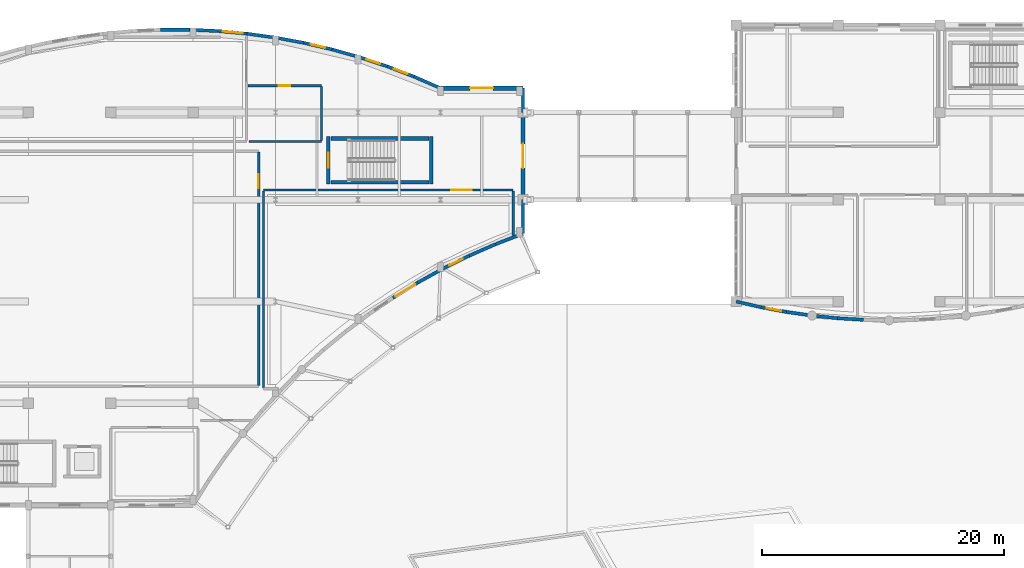
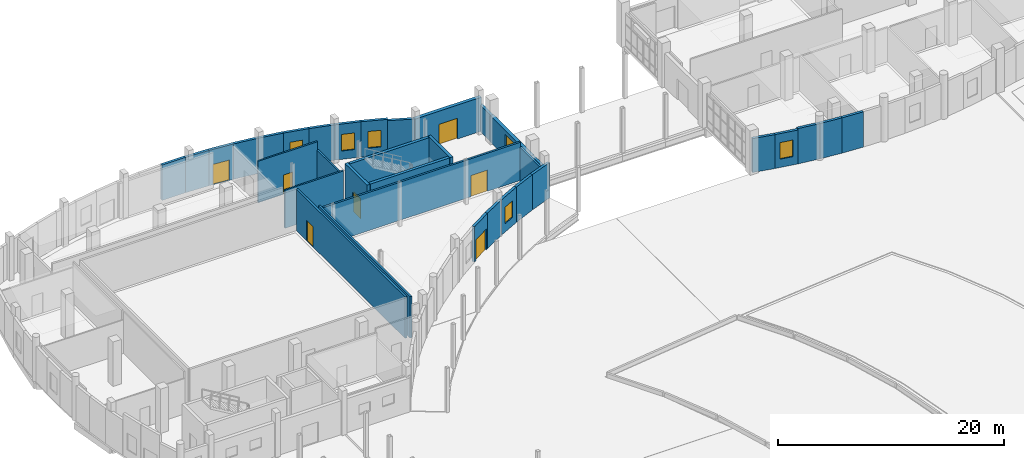
# One storey, part 67 of 97: 35 walls, 8 doors, 5 windows, 13 openings.
"""IFC4 building model written with IfcOpenShell, lengths in metres."""

from ifc_helpers import new_model, si_unit, direction, frame, frame_2d, origin, place, context, subcontext, project, spatial, rectangle, extrude, material, layer, layer_set, type_object, element, fill, save


model = new_model("IFC4")

# Units and contexts
model_context = context("Model", 3, precision=1e-05, world=origin(), true_north=direction((0.0, 1.0)))
body_context = subcontext(model_context, "Body", "Model", "MODEL_VIEW")
ifc_project = project(units=[si_unit("LENGTHUNIT", "METRE"), si_unit("AREAUNIT", "SQUARE_METRE"), si_unit("VOLUMEUNIT", "CUBIC_METRE"), si_unit("PLANEANGLEUNIT", "RADIAN"), si_unit("MASSUNIT", "GRAM", prefix="KILO")], contexts=[model_context])

# Site, building, storey
site_placement = place(None, origin())
site = spatial("IfcSite", under=ifc_project, at=site_placement, CompositionType="ELEMENT")
building_placement = place(site_placement, origin())
building = spatial("IfcBuilding", under=site, at=building_placement, Name="Kisaragi Civic Commons", CompositionType="ELEMENT")
storey_placement = place(building_placement, origin())
storey = spatial("IfcBuildingStorey", under=building, at=storey_placement, Name="L00", CompositionType="ELEMENT", Elevation=0.0)

# Wall, opening, door
ifc_material_1 = material(Name="Insulated Tokoname terracotta cavity wall", Category="masonry")
ifc_layer_1 = layer(ifc_material_1, 0.35009765625, Name="Insulated Tokoname terracotta cavity wall", Category="masonry")
ifc_layer_set_1 = layer_set([ifc_layer_1], Name="Insulated Tokoname terracotta cavity wall")
wall_type_1 = type_object("IfcWallType", Name="EW-02", PredefinedType="STANDARD", material=ifc_layer_set_1)
wall_1_placement = place(storey_placement, frame((47.60009765625, 113.60009765625, 0.0), z_axis=(0.0, 0.0, 1.0), x_axis=(1.0, 0.0, 0.0)))
wall_1 = element("IfcWall", 1, at=wall_1_placement, inside=storey, type_object=wall_type_1, Name="V2 L00 exterior terracotta wall EW-02 160", PredefinedType="STANDARD", context=body_context, shape_type="SweptSolid", body=[
    extrude(rectangle(XDim=6.7998046875, YDim=0.35009765625, at=frame_2d((3.39990234375, 0.0))), origin(), (0.0, 0.0, 1.0), 3.669921875),
])
opening_1_placement = place(wall_1_placement, frame((2.449951171875, 0.0, 0.0)))
opening_1 = element("IfcOpeningElement", 2, at=opening_1_placement, cuts=wall_1, Name="Opening ED-F", PredefinedType="OPENING", context=body_context, shape_type="SweptSolid", body=[
    extrude(rectangle(XDim=1.89990234375, YDim=2.25, at=frame_2d((0.949951171875, 1.125))), frame((0.0, 0.18505859375, 0.0), z_axis=(0.0, -1.0, 0.0), x_axis=(1.0, 0.0, 0.0)), (0.0, 0.0, 1.0), 0.3701171875),
])
ifc_material_2 = material(Name="Thermally broken anodized aluminium glazed exit door", Category="aluminium")
door_type_1 = type_object("IfcDoorType", Name="ED-F", OperationType="NOTDEFINED", PredefinedType="DOOR", material=ifc_material_2)
door_1_placement = place(opening_1_placement, origin())
door_1 = element("IfcDoor", 3, at=door_1_placement, inside=storey, type_object=door_type_1, Name="Ground exterior exit and veranda door ED-F 09", OperationType="DOUBLE_DOOR_SINGLE_SWING", OverallHeight=2.25, OverallWidth=1.89990234375, PredefinedType="DOOR", context=body_context, shape_type="SweptSolid", body=[
    extrude(rectangle(XDim=1.89990234375, YDim=2.25, at=frame_2d((0.949951171875, 1.125))), frame((0.0, 0.02490234375, 0.0), z_axis=(0.0, -1.0, 0.0), x_axis=(1.0, 0.0, 0.0)), (0.0, 0.0, 1.0), 0.050048828125),
])
fill(opening_1, door_1)

wall_2_placement = place(storey_placement, frame((54.39990234375, 111.60009765625, 0.0), z_axis=(0.0, 0.0, 1.0), x_axis=(0.0, -1.0, 0.0)))
wall_2 = element("IfcWall", 4, at=wall_2_placement, inside=storey, type_object=wall_type_1, Name="V2 L00 exterior terracotta wall EW-02 162", PredefinedType="STANDARD", context=body_context, shape_type="SweptSolid", body=[
    extrude(rectangle(XDim=7.2001953125, YDim=0.35009765625, at=frame_2d((3.60009765625, 0.0))), origin(), (0.0, 0.0, 1.0), 2.85498046875),
])
opening_2_placement = place(wall_2_placement, frame((2.60009765625, 0.0, 0.0)))
opening_2 = element("IfcOpeningElement", 5, at=opening_2_placement, cuts=wall_2, Name="Opening ED-A", PredefinedType="OPENING", context=body_context, shape_type="SweptSolid", body=[
    extrude(rectangle(XDim=2.0, YDim=2.39990234375, at=frame_2d((1.0, 1.199951171875))), frame((0.0, 0.18505859375, 0.0), z_axis=(0.0, -1.0, 0.0), x_axis=(1.0, 0.0, 0.0)), (0.0, 0.0, 1.0), 0.3701171875),
])
door_type_2 = type_object("IfcDoorType", Name="ED-A", OperationType="NOTDEFINED", PredefinedType="DOOR", material=ifc_material_2)
door_2_placement = place(opening_2_placement, origin())
door_2 = element("IfcDoor", 6, at=door_2_placement, inside=storey, type_object=door_type_2, Name="Ground exterior exit and veranda door ED-A 10", OperationType="DOUBLE_DOOR_SINGLE_SWING", OverallHeight=2.39990234375, OverallWidth=2.0, PredefinedType="DOOR", context=body_context, shape_type="SweptSolid", body=[
    extrude(rectangle(XDim=2.0, YDim=2.39990234375, at=frame_2d((1.0, 1.199951171875))), frame((0.0, 0.02490234375, 0.0), z_axis=(0.0, -1.0, 0.0), x_axis=(1.0, 0.0, 0.0)), (0.0, 0.0, 1.0), 0.050048828125),
])
fill(opening_2, door_2)

# Walls
ifc_layer_2 = layer(ifc_material_1, 0.26806640625, Name="Insulated Tokoname terracotta cavity wall", Category="masonry")
ifc_layer_set_2 = layer_set([ifc_layer_2], Name="Insulated Tokoname terracotta cavity wall")
wall_type_2 = type_object("IfcWallType", Name="EW-04", PredefinedType="STANDARD", material=ifc_layer_set_2)
wall_3_placement = place(storey_placement, frame((24.510498046875, 118.423095703125, 0.0), z_axis=(0.0, 0.0, 1.0), x_axis=(1.0, 0.0, 0.0)))
element("IfcWall", 7, at=wall_3_placement, inside=storey, type_object=wall_type_2, Name="V2 L00 exterior terracotta wall EW-04 150", PredefinedType="STANDARD", context=body_context, shape_type="SweptSolid", body=[
    extrude(rectangle(XDim=2.379150390625, YDim=0.26806640625, at=frame_2d((1.189453125, 0.0))), origin(), (0.0, 0.0, 1.0), 3.820068359375),
])
wall_4_placement = place(storey_placement, frame((26.8896484375, 118.423095703125, 0.0), z_axis=(0.0, 0.0, 1.0), x_axis=(0.998952399437, -0.045761377378, 0.0)))
element("IfcWall", 8, at=wall_4_placement, inside=storey, type_object=wall_type_2, Name="V2 L00 exterior terracotta wall EW-04 151", PredefinedType="STANDARD", context=body_context, shape_type="SweptSolid", body=[
    extrude(rectangle(XDim=2.37939453125, YDim=0.26806640625, at=frame_2d((1.189697265625, 0.0))), origin(), (0.0, 0.0, 1.0), 3.820068359375),
])

# Wall, opening, door
wall_5_placement = place(storey_placement, frame((29.2666015625, 118.314208984375, 0.0), z_axis=(0.0, 0.0, 1.0), x_axis=(0.995811211836, -0.091433201746, 0.0)))
wall_5 = element("IfcWall", 9, at=wall_5_placement, inside=storey, type_object=wall_type_2, Name="V2 L00 exterior terracotta wall EW-04 152", PredefinedType="STANDARD", context=body_context, shape_type="SweptSolid", body=[
    extrude(rectangle(XDim=2.379150390625, YDim=0.26806640625, at=frame_2d((1.189453125, 0.0))), origin(), (0.0, 0.0, 1.0), 3.820068359375),
])
opening_3_placement = place(wall_5_placement, frame((0.364501953125, 0.0, 0.0)))
opening_3 = element("IfcOpeningElement", 10, at=opening_3_placement, cuts=wall_5, Name="Opening ED-D", PredefinedType="OPENING", context=body_context, shape_type="SweptSolid", body=[
    extrude(rectangle(XDim=1.64990234375, YDim=2.199951171875, at=frame_2d((0.824951171875, 1.10009765625))), frame((0.0, 0.14404296875, 0.0), z_axis=(0.0, -1.0, 0.0), x_axis=(1.0, 0.0, 0.0)), (0.0, 0.0, 1.0), 0.2880859375),
])
door_type_3 = type_object("IfcDoorType", Name="ED-D", OperationType="NOTDEFINED", PredefinedType="DOOR", material=ifc_material_2)
door_3_placement = place(opening_3_placement, origin())
door_3 = element("IfcDoor", 11, at=door_3_placement, inside=storey, type_object=door_type_3, Name="Ground exterior exit and veranda door ED-D 08", OperationType="DOUBLE_DOOR_SINGLE_SWING", OverallHeight=2.199951171875, OverallWidth=1.64990234375, PredefinedType="DOOR", context=body_context, shape_type="SweptSolid", body=[
    extrude(rectangle(XDim=1.64990234375, YDim=2.199951171875, at=frame_2d((0.824951171875, 1.10009765625))), frame((0.0, 0.02490234375, 0.0), z_axis=(0.0, -1.0, 0.0), x_axis=(1.0, 0.0, 0.0)), (0.0, 0.0, 1.0), 0.050048828125),
])
fill(opening_3, door_3)

# Walls
for number, where, z_axis, x_axis, name in (
    (12, (31.6357421875, 118.0966796875, 0.0), (0.0, 0.0, 1.0), (0.990587574889, -0.136880445919, 0.0), "V2 L00 exterior terracotta wall EW-04 153"),
    (13, (33.99267578125, 117.77099609375, 0.0), (0.0, 0.0, 1.0), (0.983293570228, -0.182026796784, 0.0), "V2 L00 exterior terracotta wall EW-04 154"),
):
    element("IfcWall", number, at=place(storey_placement, frame(where, z_axis=z_axis, x_axis=x_axis)), inside=storey, type_object=wall_type_2, Name=name, PredefinedType="STANDARD", context=body_context, shape_type="SweptSolid", body=[
        extrude(rectangle(XDim=2.37939453125, YDim=0.26806640625, at=frame_2d((1.189697265625, 0.0))), origin(), (0.0, 0.0, 1.0), 3.820068359375),
    ])

# Wall, opening, window
wall_6_placement = place(storey_placement, frame((36.332275390625, 117.337890625, 0.0), z_axis=(0.0, 0.0, 1.0), x_axis=(0.97394480738, -0.226785167454, 0.0)))
wall_6 = element("IfcWall", 14, at=wall_6_placement, inside=storey, type_object=wall_type_2, Name="V2 L00 exterior terracotta wall EW-04 155", PredefinedType="STANDARD", context=body_context, shape_type="SweptSolid", body=[
    extrude(rectangle(XDim=2.379150390625, YDim=0.26806640625, at=frame_2d((1.189453125, 0.0))), origin(), (0.0, 0.0, 1.0), 3.820068359375),
])
opening_4_placement = place(wall_6_placement, frame((0.589599609375, 0.0, 0.89990234375)))
opening_4 = element("IfcOpeningElement", 15, at=opening_4_placement, cuts=wall_6, Name="Opening W-05", PredefinedType="OPENING", context=body_context, shape_type="SweptSolid", body=[
    extrude(rectangle(XDim=1.199951171875, YDim=1.800048828125, at=frame_2d((0.60009765625, 0.89990234375))), frame((0.0, 0.14404296875, 0.0), z_axis=(0.0, -1.0, 0.0), x_axis=(1.0, 0.0, 0.0)), (0.0, 0.0, 1.0), 0.2880859375),
])
ifc_material_3 = material(Name="Thermally broken aluminium frame and low-E argon double glazing", Category="aluminium")
window_type = type_object("IfcWindowType", Name="W-05", PartitioningType="SINGLE_PANEL", PredefinedType="WINDOW", material=ifc_material_3)
window_1_placement = place(opening_4_placement, origin())
window_1 = element("IfcWindow", 16, at=window_1_placement, inside=storey, type_object=window_type, Name="V2 L00 window W-05 46", OverallHeight=1.800048828125, OverallWidth=1.199951171875, PartitioningType="SINGLE_PANEL", PredefinedType="WINDOW", context=body_context, shape_type="SweptSolid", body=[
    extrude(rectangle(XDim=1.199951171875, YDim=1.800048828125, at=frame_2d((0.60009765625, 0.89990234375))), frame((0.0, 0.030029296875, 0.0), z_axis=(0.0, -1.0, 0.0), x_axis=(1.0, 0.0, 0.0)), (0.0, 0.0, 1.0), 0.06005859375),
])
fill(opening_4, window_1)

# Wall
wall_7_placement = place(storey_placement, frame((38.6494140625, 116.79833984375, 0.0), z_axis=(0.0, 0.0, 1.0), x_axis=(0.962554772645, -0.27108727314, 0.0)))
element("IfcWall", 17, at=wall_7_placement, inside=storey, type_object=wall_type_2, Name="V2 L00 exterior terracotta wall EW-04 156", PredefinedType="STANDARD", context=body_context, shape_type="SweptSolid", body=[
    extrude(rectangle(XDim=2.37939453125, YDim=0.26806640625, at=frame_2d((1.189697265625, 0.0))), origin(), (0.0, 0.0, 1.0), 3.820068359375),
])

# Wall, opening, window
wall_8_placement = place(storey_placement, frame((40.939697265625, 116.1533203125, 0.0), z_axis=(0.0, 0.0, 1.0), x_axis=(0.949123588858, -0.31490381559, 0.0)))
wall_8 = element("IfcWall", 18, at=wall_8_placement, inside=storey, type_object=wall_type_2, Name="V2 L00 exterior terracotta wall EW-04 157", PredefinedType="STANDARD", context=body_context, shape_type="SweptSolid", body=[
    extrude(rectangle(XDim=2.37939453125, YDim=0.26806640625, at=frame_2d((1.189697265625, 0.0))), origin(), (0.0, 0.0, 1.0), 3.820068359375),
])
opening_5_placement = place(wall_8_placement, frame((0.589599609375, 0.0, 0.89990234375)))
opening_5 = element("IfcOpeningElement", 19, at=opening_5_placement, cuts=wall_8, Name="Opening W-05", PredefinedType="OPENING", context=body_context, shape_type="SweptSolid", body=[
    extrude(rectangle(XDim=1.199951171875, YDim=1.800048828125, at=frame_2d((0.60009765625, 0.89990234375))), frame((0.0, 0.14404296875, 0.0), z_axis=(0.0, -1.0, 0.0), x_axis=(1.0, 0.0, 0.0)), (0.0, 0.0, 1.0), 0.2880859375),
])
window_2_placement = place(opening_5_placement, origin())
window_2 = element("IfcWindow", 20, at=window_2_placement, inside=storey, type_object=window_type, Name="V2 L00 window W-05 47", OverallHeight=1.800048828125, OverallWidth=1.199951171875, PartitioningType="SINGLE_PANEL", PredefinedType="WINDOW", context=body_context, shape_type="SweptSolid", body=[
    extrude(rectangle(XDim=1.199951171875, YDim=1.800048828125, at=frame_2d((0.60009765625, 0.89990234375))), frame((0.0, 0.030029296875, 0.0), z_axis=(0.0, -1.0, 0.0), x_axis=(1.0, 0.0, 0.0)), (0.0, 0.0, 1.0), 0.06005859375),
])
fill(opening_5, window_2)

wall_9_placement = place(storey_placement, frame((43.197998046875, 115.404052734375, 0.0), z_axis=(0.0, 0.0, 1.0), x_axis=(0.933757548391, -0.357906189977, 0.0)))
wall_9 = element("IfcWall", 21, at=wall_9_placement, inside=storey, type_object=wall_type_2, Name="V2 L00 exterior terracotta wall EW-04 158", PredefinedType="STANDARD", context=body_context, shape_type="SweptSolid", body=[
    extrude(rectangle(XDim=2.37939453125, YDim=0.26806640625, at=frame_2d((1.189697265625, 0.0))), origin(), (0.0, 0.0, 1.0), 3.820068359375),
])
opening_6_placement = place(wall_9_placement, frame((0.589599609375, 0.0, 0.89990234375)))
opening_6 = element("IfcOpeningElement", 22, at=opening_6_placement, cuts=wall_9, Name="Opening W-05", PredefinedType="OPENING", context=body_context, shape_type="SweptSolid", body=[
    extrude(rectangle(XDim=1.199951171875, YDim=1.800048828125, at=frame_2d((0.60009765625, 0.89990234375))), frame((0.0, 0.14404296875, 0.0), z_axis=(0.0, -1.0, 0.0), x_axis=(1.0, 0.0, 0.0)), (0.0, 0.0, 1.0), 0.2880859375),
])
window_3_placement = place(opening_6_placement, origin())
window_3 = element("IfcWindow", 23, at=window_3_placement, inside=storey, type_object=window_type, Name="V2 L00 window W-05 48", OverallHeight=1.800048828125, OverallWidth=1.199951171875, PartitioningType="SINGLE_PANEL", PredefinedType="WINDOW", context=body_context, shape_type="SweptSolid", body=[
    extrude(rectangle(XDim=1.199951171875, YDim=1.800048828125, at=frame_2d((0.60009765625, 0.89990234375))), frame((0.0, 0.030029296875, 0.0), z_axis=(0.0, -1.0, 0.0), x_axis=(1.0, 0.0, 0.0)), (0.0, 0.0, 1.0), 0.06005859375),
])
fill(opening_6, window_3)

# Walls
wall_10_placement = place(storey_placement, frame((45.419677734375, 114.552490234375, 0.0), z_axis=(0.0, 0.0, 1.0), x_axis=(0.916395023077, -0.400275107494, 0.0)))
element("IfcWall", 24, at=wall_10_placement, inside=storey, type_object=wall_type_2, Name="V2 L00 exterior terracotta wall EW-04 159", PredefinedType="STANDARD", context=body_context, shape_type="SweptSolid", body=[
    extrude(rectangle(XDim=2.37939453125, YDim=0.26806640625, at=frame_2d((1.189697265625, 0.0))), origin(), (0.0, 0.0, 1.0), 3.669921875),
])
wall_11_placement = place(storey_placement, frame((54.39990234375, 113.60009765625, 0.0), z_axis=(0.0, 0.0, 1.0), x_axis=(0.0, -1.0, 0.0)))
element("IfcWall", 25, at=wall_11_placement, inside=storey, type_object=wall_type_2, Name="V2 L00 exterior terracotta wall EW-04 161", PredefinedType="STANDARD", context=body_context, shape_type="SweptSolid", body=[
    extrude(rectangle(XDim=2.0, YDim=0.26806640625, at=frame_2d((1.0, 0.0))), origin(), (0.0, 0.0, 1.0), 2.85498046875),
])
wall_12_placement = place(storey_placement, frame((54.39990234375, 104.39990234375, 0.0), z_axis=(0.0, 0.0, 1.0), x_axis=(0.0, -1.0, 0.0)))
element("IfcWall", 26, at=wall_12_placement, inside=storey, type_object=wall_type_2, Name="V2 L00 exterior terracotta wall EW-04 163", PredefinedType="STANDARD", context=body_context, shape_type="SweptSolid", body=[
    extrude(rectangle(XDim=2.7998046875, YDim=0.26806640625, at=frame_2d((1.39990234375, 0.0))), origin(), (0.0, 0.0, 1.0), 2.85498046875),
])
for number, where, z_axis, x_axis, name in (
    (27, (54.39990234375, 101.60009765625, 0.0), (0.0, 0.0, 1.0), (-0.933639383076, -0.358214324629, 0.0), "V2 L00 exterior terracotta wall EW-04 164"),
    (28, (52.16259765625, 100.74169921875, 0.0), (0.0, 0.0, 1.0), (-0.916157334902, -0.40081883402, 0.0), "V2 L00 exterior terracotta wall EW-04 165"),
):
    element("IfcWall", number, at=place(storey_placement, frame(where, z_axis=z_axis, x_axis=x_axis)), inside=storey, type_object=wall_type_2, Name=name, PredefinedType="STANDARD", context=body_context, shape_type="SweptSolid", body=[
        extrude(rectangle(XDim=2.396240234375, YDim=0.26806640625, at=frame_2d((1.1982421875, 0.0))), origin(), (0.0, 0.0, 1.0), 3.820068359375),
    ])

# Wall, opening, window
wall_13_placement = place(storey_placement, frame((49.96728515625, 99.78125, 0.0), z_axis=(0.0, 0.0, 1.0), x_axis=(-0.896737964663, -0.442561885764, 0.0)))
wall_13 = element("IfcWall", 29, at=wall_13_placement, inside=storey, type_object=wall_type_2, Name="V2 L00 exterior terracotta wall EW-04 166", PredefinedType="STANDARD", context=body_context, shape_type="SweptSolid", body=[
    extrude(rectangle(XDim=2.396484375, YDim=0.26806640625, at=frame_2d((1.1982421875, 0.0))), origin(), (0.0, 0.0, 1.0), 3.820068359375),
])
opening_7_placement = place(wall_13_placement, frame((0.59814453125, 0.0, 0.89990234375)))
opening_7 = element("IfcOpeningElement", 30, at=opening_7_placement, cuts=wall_13, Name="Opening W-05", PredefinedType="OPENING", context=body_context, shape_type="SweptSolid", body=[
    extrude(rectangle(XDim=1.199951171875, YDim=1.800048828125, at=frame_2d((0.60009765625, 0.89990234375))), frame((0.0, 0.14404296875, 0.0), z_axis=(0.0, -1.0, 0.0), x_axis=(1.0, 0.0, 0.0)), (0.0, 0.0, 1.0), 0.2880859375),
])
window_4_placement = place(opening_7_placement, origin())
window_4 = element("IfcWindow", 31, at=window_4_placement, inside=storey, type_object=window_type, Name="V2 L00 window W-05 49", OverallHeight=1.800048828125, OverallWidth=1.199951171875, PartitioningType="SINGLE_PANEL", PredefinedType="WINDOW", context=body_context, shape_type="SweptSolid", body=[
    extrude(rectangle(XDim=1.199951171875, YDim=1.800048828125, at=frame_2d((0.60009765625, 0.89990234375))), frame((0.0, 0.030029296875, 0.0), z_axis=(0.0, -1.0, 0.0), x_axis=(1.0, 0.0, 0.0)), (0.0, 0.0, 1.0), 0.06005859375),
])
fill(opening_7, window_4)

# Wall
wall_14_placement = place(storey_placement, frame((47.818359375, 98.720703125, 0.0), z_axis=(0.0, 0.0, 1.0), x_axis=(-0.875379974168, -0.483435518788, 0.0)))
element("IfcWall", 32, at=wall_14_placement, inside=storey, type_object=wall_type_2, Name="V2 L00 exterior terracotta wall EW-04 167", PredefinedType="STANDARD", context=body_context, shape_type="SweptSolid", body=[
    extrude(rectangle(XDim=2.396240234375, YDim=0.26806640625, at=frame_2d((1.1982421875, 0.0))), origin(), (0.0, 0.0, 1.0), 3.820068359375),
])

# Wall, opening, door
wall_15_placement = place(storey_placement, frame((45.720703125, 97.562255859375, 0.0), z_axis=(0.0, 0.0, 1.0), x_axis=(-0.852161661099, -0.523278609685, 0.0)))
wall_15 = element("IfcWall", 33, at=wall_15_placement, inside=storey, type_object=wall_type_2, Name="V2 L00 exterior terracotta wall EW-04 168", PredefinedType="STANDARD", context=body_context, shape_type="SweptSolid", body=[
    extrude(rectangle(XDim=2.396240234375, YDim=0.26806640625, at=frame_2d((1.1982421875, 0.0))), origin(), (0.0, 0.0, 1.0), 3.820068359375),
])
opening_8_placement = place(wall_15_placement, frame((0.248291015625, 0.0, 0.0)))
opening_8 = element("IfcOpeningElement", 34, at=opening_8_placement, cuts=wall_15, Name="Opening ED-F", PredefinedType="OPENING", context=body_context, shape_type="SweptSolid", body=[
    extrude(rectangle(XDim=1.89990234375, YDim=2.25, at=frame_2d((0.949951171875, 1.125))), frame((0.0, 0.14404296875, 0.0), z_axis=(0.0, -1.0, 0.0), x_axis=(1.0, 0.0, 0.0)), (0.0, 0.0, 1.0), 0.2880859375),
])
door_4_placement = place(opening_8_placement, origin())
door_4 = element("IfcDoor", 35, at=door_4_placement, inside=storey, type_object=door_type_1, Name="Ground exterior exit and veranda door ED-F 24", OperationType="DOUBLE_DOOR_SINGLE_SWING", OverallHeight=2.25, OverallWidth=1.89990234375, PredefinedType="DOOR", context=body_context, shape_type="SweptSolid", body=[
    extrude(rectangle(XDim=1.89990234375, YDim=2.25, at=frame_2d((0.949951171875, 1.125))), frame((0.0, 0.02490234375, 0.0), z_axis=(0.0, -1.0, 0.0), x_axis=(1.0, 0.0, 0.0)), (0.0, 0.0, 1.0), 0.050048828125),
])
fill(opening_8, door_4)

# Walls
wall_16_placement = place(storey_placement, frame((82.4794921875, 94.49365234375, 0.0), z_axis=(0.0, 0.0, 1.0), x_axis=(-0.998130173714, 0.061124105898, 0.0)))
element("IfcWall", 36, at=wall_16_placement, inside=storey, type_object=wall_type_2, Name="V4 L00 exterior terracotta wall EW-04 309", PredefinedType="STANDARD", context=body_context, shape_type="SweptSolid", body=[
    extrude(rectangle(XDim=2.120849609375, YDim=0.26806640625, at=frame_2d((1.060546875, 0.0))), origin(), (0.0, 0.0, 1.0), 3.820068359375),
])
for number, where, z_axis, x_axis, name in (
    (37, (80.362548828125, 94.623291015625, 0.0), (0.0, 0.0, 1.0), (-0.994810155403, 0.10174848749, 0.0), "V4 L00 exterior terracotta wall EW-04 310"),
    (38, (78.25244140625, 94.839111328125, 0.0), (0.0, 0.0, 1.0), (-0.989810892254, 0.142388193245, 0.0), "V4 L00 exterior terracotta wall EW-04 311"),
):
    element("IfcWall", number, at=place(storey_placement, frame(where, z_axis=z_axis, x_axis=x_axis)), inside=storey, type_object=wall_type_2, Name=name, PredefinedType="STANDARD", context=body_context, shape_type="SweptSolid", body=[
        extrude(rectangle(XDim=2.12109375, YDim=0.26806640625, at=frame_2d((1.060546875, 0.0))), origin(), (0.0, 0.0, 1.0), 3.820068359375),
    ])

# Wall, opening, window
wall_17_placement = place(storey_placement, frame((76.153076171875, 95.14111328125, 0.0), z_axis=(0.0, 0.0, 1.0), x_axis=(-0.983213231288, 0.18246024723, 0.0)))
wall_17 = element("IfcWall", 39, at=wall_17_placement, inside=storey, type_object=wall_type_2, Name="V4 L00 exterior terracotta wall EW-04 312", PredefinedType="STANDARD", context=body_context, shape_type="SweptSolid", body=[
    extrude(rectangle(XDim=2.120849609375, YDim=0.26806640625, at=frame_2d((1.060546875, 0.0))), origin(), (0.0, 0.0, 1.0), 3.669921875),
])
opening_9_placement = place(wall_17_placement, frame((0.46044921875, 0.0, 0.89990234375)))
opening_9 = element("IfcOpeningElement", 40, at=opening_9_placement, cuts=wall_17, Name="Opening W-05", PredefinedType="OPENING", context=body_context, shape_type="SweptSolid", body=[
    extrude(rectangle(XDim=1.199951171875, YDim=1.800048828125, at=frame_2d((0.60009765625, 0.89990234375))), frame((0.0, 0.14404296875, 0.0), z_axis=(0.0, -1.0, 0.0), x_axis=(1.0, 0.0, 0.0)), (0.0, 0.0, 1.0), 0.2880859375),
])
window_5_placement = place(opening_9_placement, origin())
window_5 = element("IfcWindow", 41, at=window_5_placement, inside=storey, type_object=window_type, Name="V4 L00 window W-05 101", OverallHeight=1.800048828125, OverallWidth=1.199951171875, PartitioningType="SINGLE_PANEL", PredefinedType="WINDOW", context=body_context, shape_type="SweptSolid", body=[
    extrude(rectangle(XDim=1.199951171875, YDim=1.800048828125, at=frame_2d((0.60009765625, 0.89990234375))), frame((0.0, 0.030029296875, 0.0), z_axis=(0.0, -1.0, 0.0), x_axis=(1.0, 0.0, 0.0)), (0.0, 0.0, 1.0), 0.06005859375),
])
fill(opening_9, window_5)

# Wall
wall_18_placement = place(storey_placement, frame((74.06787109375, 95.528076171875, 0.0), z_axis=(0.0, 0.0, 1.0), x_axis=(-0.974933461124, 0.222496621057, 0.0)))
element("IfcWall", 42, at=wall_18_placement, inside=storey, type_object=wall_type_2, Name="V4 L00 exterior terracotta wall EW-04 313", PredefinedType="STANDARD", context=body_context, shape_type="SweptSolid", body=[
    extrude(rectangle(XDim=2.12109375, YDim=0.26806640625, at=frame_2d((1.060546875, 0.0))), origin(), (0.0, 0.0, 1.0), 3.669921875),
])

# Wall, opening, door
ifc_material_4 = material(Name="Fire-rated double gypsum board on steel studs with mineral wool", Category="steel")
ifc_layer_3 = layer(ifc_material_4, 0.199951171875, Name="Fire-rated double gypsum board on steel studs with mineral wool", Category="steel")
ifc_layer_set_3 = layer_set([ifc_layer_3], Name="Fire-rated double gypsum board on steel studs with mineral wool")
wall_type_3 = type_object("IfcWallType", Name="FW-01", PredefinedType="STANDARD", material=ifc_layer_set_3)
wall_19_placement = place(storey_placement, frame((33.0048828125, 105.199951171875, 0.0), z_axis=(0.0, 0.0, 1.0), x_axis=(1.0, 0.0, 0.0)))
wall_19 = element("IfcWall", 43, at=wall_19_placement, inside=storey, type_object=wall_type_3, Name="L00 S0-09 partition FW-01 55", PredefinedType="STANDARD", context=body_context, shape_type="SweptSolid", body=[
    extrude(rectangle(XDim=20.590087890625, YDim=0.199951171875, at=frame_2d((10.294921875, 0.0))), origin(), (0.0, 0.0, 1.0), 4.1201171875),
])
opening_10_placement = place(wall_19_placement, frame((15.48974609375, 0.0, 0.0)))
opening_10 = element("IfcOpeningElement", 44, at=opening_10_placement, cuts=wall_19, Name="Opening ID-07", PredefinedType="OPENING", context=body_context, shape_type="SweptSolid", body=[
    extrude(rectangle(XDim=1.699951171875, YDim=2.300048828125, at=frame_2d((0.85009765625, 1.14990234375))), frame((0.0, 0.10986328125, 0.0), z_axis=(0.0, -1.0, 0.0), x_axis=(1.0, 0.0, 0.0)), (0.0, 0.0, 1.0), 0.219970703125),
])
ifc_material_5 = material(Name="Insulated fire-rated pressed steel door assembly", Category="steel")
door_type_4 = type_object("IfcDoorType", Name="ID-07", OperationType="NOTDEFINED", PredefinedType="DOOR", material=ifc_material_5)
door_5_placement = place(opening_10_placement, origin())
door_5 = element("IfcDoor", 45, at=door_5_placement, inside=storey, type_object=door_type_4, Name="Table Tennis and Martial Arts Room door ID-07", OperationType="DOUBLE_DOOR_SINGLE_SWING", OverallHeight=2.300048828125, OverallWidth=1.699951171875, PredefinedType="DOOR", context=body_context, shape_type="SweptSolid", body=[
    extrude(rectangle(XDim=1.699951171875, YDim=2.300048828125, at=frame_2d((0.85009765625, 1.14990234375))), frame((0.0, 0.02490234375, 0.0), z_axis=(0.0, -1.0, 0.0), x_axis=(1.0, 0.0, 0.0)), (0.0, 0.0, 1.0), 0.050048828125),
])
fill(opening_10, door_5)

# Walls
wall_20_placement = place(storey_placement, frame((53.60009765625, 105.125, 0.0), z_axis=(0.0, 0.0, 1.0), x_axis=(0.0, -1.0, 0.0)))
element("IfcWall", 46, at=wall_20_placement, inside=storey, type_object=wall_type_3, Name="L00 S0-09 partition FW-01 56", PredefinedType="STANDARD", context=body_context, shape_type="SweptSolid", body=[
    extrude(rectangle(XDim=3.68994140625, YDim=0.199951171875, at=frame_2d((1.844970703125, 0.0))), origin(), (0.0, 0.0, 1.0), 3.6201171875),
])
wall_21_placement = place(storey_placement, frame((33.0, 88.875, 0.0), z_axis=(0.0, 0.0, 1.0), x_axis=(0.0, 1.0, 0.0)))
element("IfcWall", 47, at=wall_21_placement, inside=storey, type_object=wall_type_3, Name="L00 S0-09 partition FW-01 58", PredefinedType="STANDARD", context=body_context, shape_type="SweptSolid", body=[
    extrude(rectangle(XDim=16.25, YDim=0.199951171875, at=frame_2d((8.125, 0.0))), origin(), (0.0, 0.0, 1.0), 4.489990234375),
])

# Wall, opening, door
wall_22_placement = place(storey_placement, frame((32.60009765625, 108.324951171875, 0.0), z_axis=(0.0, 0.0, 1.0), x_axis=(0.0, -1.0, 0.0)))
wall_22 = element("IfcWall", 48, at=wall_22_placement, inside=storey, type_object=wall_type_3, Name="L00 S0-01 partition FW-01 93", PredefinedType="STANDARD", context=body_context, shape_type="SweptSolid", body=[
    extrude(rectangle(XDim=19.25, YDim=0.199951171875, at=frame_2d((9.625, 0.0))), origin(), (0.0, 0.0, 1.0), 4.489990234375),
])
opening_11_placement = place(wall_22_placement, frame((1.81005859375, 0.0, 0.0)))
opening_11 = element("IfcOpeningElement", 49, at=opening_11_placement, cuts=wall_22, Name="Opening FD-03", PredefinedType="OPENING", context=body_context, shape_type="SweptSolid", body=[
    extrude(rectangle(XDim=1.14990234375, YDim=2.199951171875, at=frame_2d((0.574951171875, 1.10009765625))), frame((0.0, 0.10986328125, 0.0), z_axis=(0.0, -1.0, 0.0), x_axis=(1.0, 0.0, 0.0)), (0.0, 0.0, 1.0), 0.219970703125),
])
door_type_5 = type_object("IfcDoorType", Name="FD-03", OperationType="NOTDEFINED", PredefinedType="DOOR", material=ifc_material_5)
door_6_placement = place(opening_11_placement, origin())
door_6 = element("IfcDoor", 50, at=door_6_placement, inside=storey, type_object=door_type_5, Name="Sports Hall door FD-03", OperationType="SINGLE_SWING_RIGHT", OverallHeight=2.199951171875, OverallWidth=1.14990234375, PredefinedType="DOOR", context=body_context, shape_type="SweptSolid", body=[
    extrude(rectangle(XDim=1.14990234375, YDim=2.199951171875, at=frame_2d((0.574951171875, 1.10009765625))), frame((0.0, 0.02490234375, 0.0), z_axis=(0.0, -1.0, 0.0), x_axis=(1.0, 0.0, 0.0)), (0.0, 0.0, 1.0), 0.050048828125),
])
fill(opening_11, door_6)

# Walls
ifc_material_6 = material(Name="Cementitious tile-backer board on galvanized steel studs", Category="steel")
ifc_layer_4 = layer(ifc_material_6, 0.16796875, Name="Cementitious tile-backer board on galvanized steel studs", Category="steel")
ifc_layer_set_4 = layer_set([ifc_layer_4], Name="Cementitious tile-backer board on galvanized steel studs")
wall_type_4 = type_object("IfcWallType", Name="IW-03", PredefinedType="STANDARD", material=ifc_layer_set_4)
wall_23_placement = place(storey_placement, frame((37.800048828125, 113.72509765625, 0.0), z_axis=(0.0, 0.0, 1.0), x_axis=(0.0, -1.0, 0.0)))
element("IfcWall", 51, at=wall_23_placement, inside=storey, type_object=wall_type_4, Name="L00 S0-07 partition IW-03 110", PredefinedType="STANDARD", context=body_context, shape_type="SweptSolid", body=[
    extrude(rectangle(XDim=4.4501953125, YDim=0.16796875, at=frame_2d((2.22509765625, 0.0))), origin(), (0.0, 0.0, 1.0), 3.6201171875),
])
wall_24_placement = place(storey_placement, frame((37.794921875, 109.199951171875, 0.0), z_axis=(0.0, 0.0, 1.0), x_axis=(-1.0, 0.0, 0.0)))
element("IfcWall", 52, at=wall_24_placement, inside=storey, type_object=wall_type_4, Name="L00 S0-07 partition IW-03 111", PredefinedType="STANDARD", context=body_context, shape_type="SweptSolid", body=[
    extrude(rectangle(XDim=5.989990234375, YDim=0.16796875, at=frame_2d((2.9951171875, 0.0))), origin(), (0.0, 0.0, 1.0), 4.1201171875),
])

# Wall, opening, door
wall_25_placement = place(storey_placement, frame((31.7080078125, 113.800048828125, 0.0), z_axis=(0.0, 0.0, 1.0), x_axis=(1.0, 0.0, 0.0)))
wall_25 = element("IfcWall", 53, at=wall_25_placement, inside=storey, type_object=wall_type_4, Name="L00 S0-07 partition IW-03 112", PredefinedType="STANDARD", context=body_context, shape_type="SweptSolid", body=[
    extrude(rectangle(XDim=6.0869140625, YDim=0.16796875, at=frame_2d((3.04345703125, 0.0))), origin(), (0.0, 0.0, 1.0), 4.489990234375),
])
opening_12_placement = place(wall_25_placement, frame((2.568603515625, 0.0, 0.0)))
opening_12 = element("IfcOpeningElement", 54, at=opening_12_placement, cuts=wall_25, Name="Opening ID-01", PredefinedType="OPENING", context=body_context, shape_type="SweptSolid", body=[
    extrude(rectangle(XDim=0.949951171875, YDim=2.10009765625, at=frame_2d((0.47509765625, 1.050048828125))), frame((0.0, 0.093994140625, 0.0), z_axis=(0.0, -1.0, 0.0), x_axis=(1.0, 0.0, 0.0)), (0.0, 0.0, 1.0), 0.18798828125),
])
ifc_material_7 = material(Name="Solid-core Japanese ash acoustic flush timber leaf in steel frame", Category="steel")
door_type_6 = type_object("IfcDoorType", Name="ID-01", OperationType="NOTDEFINED", PredefinedType="DOOR", material=ifc_material_7)
door_7_placement = place(opening_12_placement, origin())
door_7 = element("IfcDoor", 55, at=door_7_placement, inside=storey, type_object=door_type_6, Name="Accessible Changing and WC door ID-01", OperationType="SINGLE_SWING_LEFT", OverallHeight=2.10009765625, OverallWidth=0.949951171875, PredefinedType="DOOR", context=body_context, shape_type="SweptSolid", body=[
    extrude(rectangle(XDim=0.949951171875, YDim=2.10009765625, at=frame_2d((0.47509765625, 1.050048828125))), frame((0.0, 0.02490234375, 0.0), z_axis=(0.0, -1.0, 0.0), x_axis=(1.0, 0.0, 0.0)), (0.0, 0.0, 1.0), 0.050048828125),
])
fill(opening_12, door_7)

ifc_material_8 = material(Name="Concrete Fc36", Category="concrete")
ifc_layer_5 = layer(ifc_material_8, 0.300048828125, Name="Concrete Fc36", Category="concrete")
ifc_layer_set_5 = layer_set([ifc_layer_5], Name="Concrete Fc36")
wall_type_5 = type_object("IfcWallType", Name="SW-01", PredefinedType="SHEAR", material=ifc_layer_set_5)
wall_26_placement = place(storey_placement, frame((38.35009765625, 109.60009765625, 0.0), z_axis=(0.0, 0.0, 1.0), x_axis=(0.0, -1.0, 0.0)))
wall_26 = element("IfcWall", 56, at=wall_26_placement, inside=storey, type_object=wall_type_5, Name="ST-S2 L00 entry RC shear wall", PredefinedType="SHEAR", context=body_context, shape_type="SweptSolid", body=[
    extrude(rectangle(XDim=3.900146484375, YDim=0.300048828125, at=frame_2d((1.9501953125, 0.0))), origin(), (0.0, 0.0, 1.0), 4.4951171875),
])
opening_13_placement = place(wall_26_placement, frame((1.324951171875, 0.0, 0.0)))
opening_13 = element("IfcOpeningElement", 57, at=opening_13_placement, cuts=wall_26, Name="Opening SD-01", PredefinedType="OPENING", context=body_context, shape_type="SweptSolid", body=[
    extrude(rectangle(XDim=1.25, YDim=2.199951171875, at=frame_2d((0.625, 1.10009765625))), frame((0.0, 0.159912109375, 0.0), z_axis=(0.0, -1.0, 0.0), x_axis=(1.0, 0.0, 0.0)), (0.0, 0.0, 1.0), 0.320068359375),
])
door_type_7 = type_object("IfcDoorType", Name="SD-01", OperationType="NOTDEFINED", PredefinedType="DOOR", material=ifc_material_5)
door_8_placement = place(opening_13_placement, frame((1.25, 0.0, 0.0), z_axis=(0.0, 0.0, 1.0), x_axis=(-1.0, 0.0, 0.0)))
door_8 = element("IfcDoor", 58, at=door_8_placement, inside=storey, type_object=door_type_7, Name="ST-S2 L00 stair fire door 31", OperationType="SINGLE_SWING_LEFT", OverallHeight=2.199951171875, OverallWidth=1.25, PredefinedType="DOOR", context=body_context, shape_type="SweptSolid", body=[
    extrude(rectangle(XDim=1.25, YDim=2.199951171875, at=frame_2d((0.625, 1.10009765625))), frame((0.0, 0.02490234375, 0.0), z_axis=(0.0, -1.0, 0.0), x_axis=(1.0, 0.0, 0.0)), (0.0, 0.0, 1.0), 0.050048828125),
])
fill(opening_13, door_8)

# Walls
wall_27_placement = place(storey_placement, frame((38.550048828125, 105.85009765625, 0.0), z_axis=(0.0, 0.0, 1.0), x_axis=(1.0, 0.0, 0.0)))
element("IfcWall", 59, at=wall_27_placement, inside=storey, type_object=wall_type_5, Name="ST-S2 L00 right RC shear wall", PredefinedType="SHEAR", context=body_context, shape_type="SweptSolid", body=[
    extrude(rectangle(XDim=8.099853515625, YDim=0.300048828125, at=frame_2d((4.0498046875, 0.0))), origin(), (0.0, 0.0, 1.0), 4.4951171875),
])
wall_28_placement = place(storey_placement, frame((46.85009765625, 105.699951171875, 0.0), z_axis=(0.0, 0.0, 1.0), x_axis=(0.0, 1.0, 0.0)))
element("IfcWall", 60, at=wall_28_placement, inside=storey, type_object=wall_type_5, Name="ST-S2 L00 far RC shear wall", PredefinedType="SHEAR", context=body_context, shape_type="SweptSolid", body=[
    extrude(rectangle(XDim=3.900146484375, YDim=0.300048828125, at=frame_2d((1.9501953125, 0.0))), origin(), (0.0, 0.0, 1.0), 4.4951171875),
])
wall_29_placement = place(storey_placement, frame((46.64990234375, 109.449951171875, 0.0), z_axis=(0.0, 0.0, 1.0), x_axis=(-1.0, 0.0, 0.0)))
element("IfcWall", 61, at=wall_29_placement, inside=storey, type_object=wall_type_5, Name="ST-S2 L00 left RC shear wall", PredefinedType="SHEAR", context=body_context, shape_type="SweptSolid", body=[
    extrude(rectangle(XDim=8.099853515625, YDim=0.300048828125, at=frame_2d((4.0498046875, 0.0))), origin(), (0.0, 0.0, 1.0), 4.4951171875),
])

save(model, "model.ifc")
